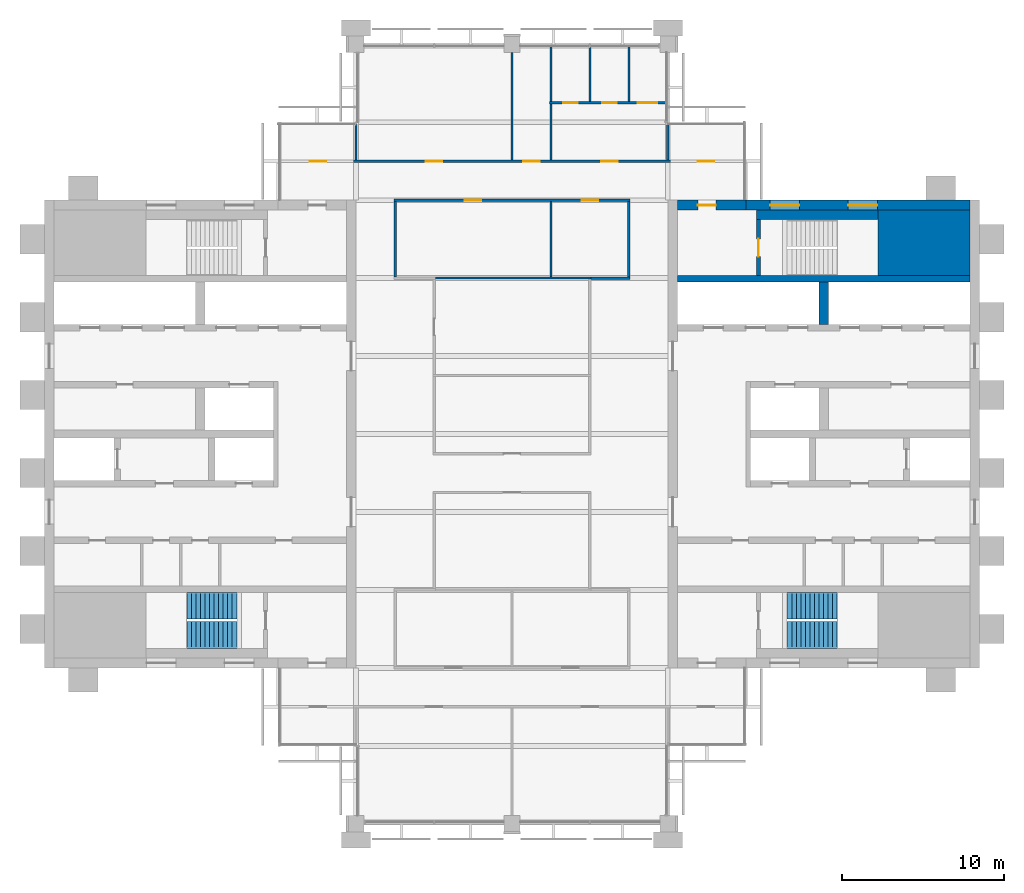
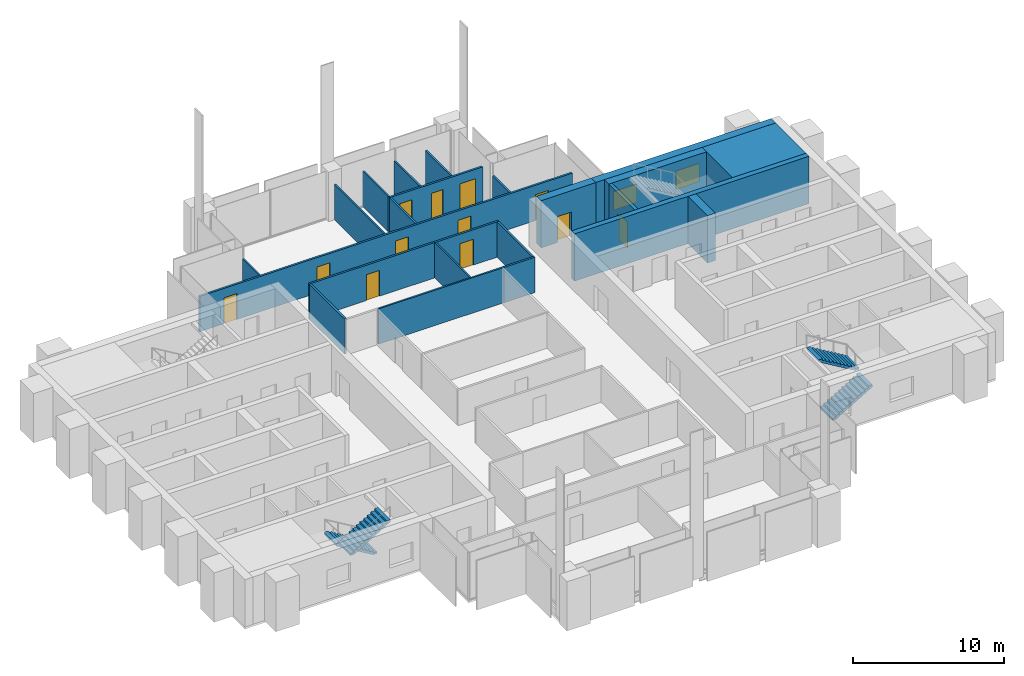
# One storey, part 11 of 13: 22 walls, 12 doors, 4 stair flights, 2 windows, 14 openings, 2 elements without a shape of their own.
"""IFC4 building model written with IfcOpenShell, lengths in metres."""

from ifc_helpers import new_model, si_unit, direction, frame, frame_2d, origin, place, context, subcontext, project, spatial, polyline, rectangle, outline, extrude, material, layer, layer_set, type_object, element, fill, aggregate, save


model = new_model("IFC4")

# Units and contexts
model_context = context("Model", 3, precision=1e-05, world=origin(), true_north=direction((0.0, 1.0)))
body_context = subcontext(model_context, "Body", "Model", "MODEL_VIEW")
ifc_project = project(units=[si_unit("LENGTHUNIT", "METRE"), si_unit("AREAUNIT", "SQUARE_METRE"), si_unit("VOLUMEUNIT", "CUBIC_METRE"), si_unit("PLANEANGLEUNIT", "RADIAN"), si_unit("MASSUNIT", "GRAM", prefix="KILO")], contexts=[model_context])

# Site, building, storey
site_placement = place(None, origin())
site = spatial("IfcSite", under=ifc_project, at=site_placement, CompositionType="ELEMENT")
building_placement = place(site_placement, origin())
building = spatial("IfcBuilding", under=site, at=building_placement, Name="Baori Bourse Tower", CompositionType="ELEMENT")
storey_placement = place(building_placement, frame((0.0, 0.0, 318.300048828125)))
storey = spatial("IfcBuildingStorey", under=building, at=storey_placement, Name="L70", CompositionType="ELEMENT", Elevation=318.300048828125)

# Wall
ifc_material_1 = material(Name="Concrete f'c 40 MPa", Category="concrete")
wall_type_1 = type_object("IfcWallType", Name="Core corner block f'c 40", PredefinedType="SHEAR", material=ifc_material_1)
wall_1_placement = place(storey_placement, frame((51.35009765625, 35.77490234375, 0.0), z_axis=(0.0, 0.0, 1.0), x_axis=(1.0, 0.0, 0.0)))
element("IfcWall", 1, at=wall_1_placement, inside=storey, type_object=wall_type_1, Name="Core wall E23", PredefinedType="SHEAR", context=body_context, shape_type="SweptSolid", body=[
    extrude(rectangle(XDim=5.64990234375, YDim=4.050048828125, at=frame_2d((2.824951171875, 0.0))), origin(), (0.0, 0.0, 1.0), 3.83984375),
])

# Wall, openings, windows
ifc_material_2 = material(Name="Concrete f'c 40 MPa", Category="concrete")
ifc_layer_1 = layer(ifc_material_2, 0.60009765625)
ifc_layer_set_1 = layer_set([ifc_layer_1], Name="Core wall 600 f'c 40")
wall_type_2 = type_object("IfcWallType", Name="Core wall 600 f'c 40", PredefinedType="SHEAR", material=ifc_layer_set_1)
wall_2_placement = place(storey_placement, frame((43.199951171875, 38.10009765625, 0.0), z_axis=(0.0, 0.0, 1.0), x_axis=(1.0, 0.0, 0.0)))
wall_2 = element("IfcWall", 2, at=wall_2_placement, inside=storey, type_object=wall_type_2, Name="Core wall E26", PredefinedType="SHEAR", context=body_context, shape_type="SweptSolid", body=[
    extrude(rectangle(XDim=13.800048828125, YDim=0.60009765625, at=frame_2d((6.89990234375, 0.0))), origin(), (0.0, 0.0, 1.0), 3.83984375),
])
opening_1_placement = place(wall_2_placement, frame((6.300048828125, 0.0, 0.89990234375)))
opening_1 = element("IfcOpeningElement", 3, at=opening_1_placement, cuts=wall_2, Name="Opening L70-KW205", PredefinedType="OPENING", context=body_context, shape_type="SweptSolid", body=[
    extrude(rectangle(XDim=1.800048828125, YDim=1.5, at=frame_2d((0.89990234375, 0.75))), frame((0.0, 0.31005859375, 0.0), z_axis=(0.0, -1.0, 0.0), x_axis=(1.0, 0.0, 0.0)), (0.0, 0.0, 1.0), 0.6201171875),
])
opening_2_placement = place(wall_2_placement, frame((1.5, 0.0, 0.89990234375)))
opening_2 = element("IfcOpeningElement", 4, at=opening_2_placement, cuts=wall_2, Name="Opening L70-KW206", PredefinedType="OPENING", context=body_context, shape_type="SweptSolid", body=[
    extrude(rectangle(XDim=1.800048828125, YDim=1.5, at=frame_2d((0.89990234375, 0.75))), frame((0.0, 0.31005859375, 0.0), z_axis=(0.0, -1.0, 0.0), x_axis=(1.0, 0.0, 0.0)), (0.0, 0.0, 1.0), 0.6201171875),
])
ifc_material_3 = material(Name="Pale anodised aluminium", Category="aluminium")
window_type = type_object("IfcWindowType", Name="Stair window 1800 x 1500", PartitioningType="SINGLE_PANEL", PredefinedType="WINDOW", material=ifc_material_3)
window_1_placement = place(opening_1_placement, origin())
window_1 = element("IfcWindow", 5, at=window_1_placement, inside=storey, type_object=window_type, Name="Stair window E L70 5", OverallHeight=1.5, OverallWidth=1.800048828125, PartitioningType="SINGLE_PANEL", PredefinedType="WINDOW", context=body_context, shape_type="SweptSolid", body=[
    extrude(rectangle(XDim=1.800048828125, YDim=1.5, at=frame_2d((0.89990234375, 0.75))), frame((0.0, 0.030029296875, 0.0), z_axis=(0.0, -1.0, 0.0), x_axis=(1.0, 0.0, 0.0)), (0.0, 0.0, 1.0), 0.06005859375),
])
fill(opening_1, window_1)
window_2_placement = place(opening_2_placement, origin())
window_2 = element("IfcWindow", 6, at=window_2_placement, inside=storey, type_object=window_type, Name="Stair window E L70 6", OverallHeight=1.5, OverallWidth=1.800048828125, PartitioningType="SINGLE_PANEL", PredefinedType="WINDOW", context=body_context, shape_type="SweptSolid", body=[
    extrude(rectangle(XDim=1.800048828125, YDim=1.5, at=frame_2d((0.89990234375, 0.75))), frame((0.0, 0.030029296875, 0.0), z_axis=(0.0, -1.0, 0.0), x_axis=(1.0, 0.0, 0.0)), (0.0, 0.0, 1.0), 0.06005859375),
])
fill(opening_2, window_2)

# Wall, opening, door
wall_3_placement = place(storey_placement, frame((39.0, 38.10009765625, 0.0), z_axis=(0.0, 0.0, 1.0), x_axis=(1.0, 0.0, 0.0)))
wall_3 = element("IfcWall", 7, at=wall_3_placement, inside=storey, type_object=wall_type_2, Name="Core wall E27", PredefinedType="SHEAR", context=body_context, shape_type="SweptSolid", body=[
    extrude(rectangle(XDim=4.199951171875, YDim=0.60009765625, at=frame_2d((2.10009765625, 0.0))), origin(), (0.0, 0.0, 1.0), 3.83984375),
])
opening_3_placement = place(wall_3_placement, frame((1.25, 0.0, 0.0)))
opening_3 = element("IfcOpeningElement", 8, at=opening_3_placement, cuts=wall_3, Name="Opening L70-D204", PredefinedType="OPENING", context=body_context, shape_type="SweptSolid", body=[
    extrude(rectangle(XDim=1.10009765625, YDim=2.10009765625, at=frame_2d((0.550048828125, 1.050048828125))), frame((0.0, 0.31005859375, 0.0), z_axis=(0.0, -1.0, 0.0), x_axis=(1.0, 0.0, 0.0)), (0.0, 0.0, 1.0), 0.6201171875),
])
ifc_material_4 = material(Name="Painted steel door", Category="steel")
door_type_1 = type_object("IfcDoorType", Name="Stair door 1100", OperationType="SINGLE_SWING_LEFT", PredefinedType="DOOR", material=ifc_material_4)
door_1_placement = place(opening_3_placement, origin())
door_1 = element("IfcDoor", 9, at=door_1_placement, inside=storey, type_object=door_type_1, Name="Stair vestibule door B E L70", OperationType="SINGLE_SWING_LEFT", OverallHeight=2.10009765625, OverallWidth=1.10009765625, PredefinedType="DOOR", context=body_context, shape_type="SweptSolid", body=[
    extrude(rectangle(XDim=1.10009765625, YDim=2.10009765625, at=frame_2d((0.550048828125, 1.050048828125))), frame((0.0, 0.02490234375, 0.0), z_axis=(0.0, -1.0, 0.0), x_axis=(1.0, 0.0, 0.0)), (0.0, 0.0, 1.0), 0.050048828125),
])
fill(opening_3, door_1)

# Wall
ifc_material_5 = material(Name="Gypsum board partition")
ifc_layer_2 = layer(ifc_material_5, 0.14990234375)
ifc_layer_set_2 = layer_set([ifc_layer_2], Name="Corridor partition 150")
wall_type_3 = type_object("IfcWallType", Name="Corridor partition 150", PredefinedType="PARTITIONING", material=ifc_layer_set_2)
wall_4_placement = place(storey_placement, frame((33.675048828125, 33.60009765625, 0.0), z_axis=(0.0, 0.0, 1.0), x_axis=(1.0, 0.0, 0.0)))
element("IfcWall", 10, at=wall_4_placement, inside=storey, type_object=wall_type_3, Name="Partition", PredefinedType="PARTITIONING", context=body_context, shape_type="SweptSolid", body=[
    extrude(rectangle(XDim=2.39990234375, YDim=0.14990234375, at=frame_2d((1.199951171875, 0.0))), origin(), (0.0, 0.0, 1.0), 2.86962890625),
])

# Wall, openings, doors
wall_5_placement = place(storey_placement, frame((21.52490234375, 38.39990234375, 0.0), z_axis=(0.0, 0.0, 1.0), x_axis=(1.0, 0.0, 0.0)))
wall_5 = element("IfcWall", 11, at=wall_5_placement, inside=storey, type_object=wall_type_3, Name="Partition", PredefinedType="PARTITIONING", context=body_context, shape_type="SweptSolid", body=[
    extrude(rectangle(XDim=14.550048828125, YDim=0.14990234375, at=frame_2d((7.27490234375, 0.0))), origin(), (0.0, 0.0, 1.0), 2.86962890625),
])
opening_4_placement = place(wall_5_placement, frame((4.375, 0.0, 0.0)))
opening_4 = element("IfcOpeningElement", 12, at=opening_4_placement, cuts=wall_5, Name="Opening L70-D09", PredefinedType="OPENING", context=body_context, shape_type="SweptSolid", body=[
    extrude(rectangle(XDim=1.0, YDim=2.10009765625, at=frame_2d((0.5, 1.050048828125))), frame((0.0, 0.0849609375, 0.0), z_axis=(0.0, -1.0, 0.0), x_axis=(1.0, 0.0, 0.0)), (0.0, 0.0, 1.0), 0.169921875),
])
opening_5_placement = place(wall_5_placement, frame((11.574951171875, 0.0, 0.0)))
opening_5 = element("IfcOpeningElement", 13, at=opening_5_placement, cuts=wall_5, Name="Opening L70-D10", PredefinedType="OPENING", context=body_context, shape_type="SweptSolid", body=[
    extrude(rectangle(XDim=1.0, YDim=2.10009765625, at=frame_2d((0.5, 1.050048828125))), frame((0.0, 0.0849609375, 0.0), z_axis=(0.0, -1.0, 0.0), x_axis=(1.0, 0.0, 0.0)), (0.0, 0.0, 1.0), 0.169921875),
])
ifc_material_6 = material(Name="Timber door leaf", Category="wood")
door_type_2 = type_object("IfcDoorType", Name="Door 1000 x 2100", OperationType="SINGLE_SWING_LEFT", PredefinedType="DOOR", material=ifc_material_6)
door_2_placement = place(opening_4_placement, origin())
door_2 = element("IfcDoor", 14, at=door_2_placement, inside=storey, type_object=door_type_2, Name="Door", OperationType="SINGLE_SWING_LEFT", OverallHeight=2.10009765625, OverallWidth=1.0, PredefinedType="DOOR", context=body_context, shape_type="SweptSolid", body=[
    extrude(rectangle(XDim=1.0, YDim=2.10009765625, at=frame_2d((0.5, 1.050048828125))), frame((0.0, 0.02490234375, 0.0), z_axis=(0.0, -1.0, 0.0), x_axis=(1.0, 0.0, 0.0)), (0.0, 0.0, 1.0), 0.050048828125),
])
fill(opening_4, door_2)
door_3_placement = place(opening_5_placement, origin())
door_3 = element("IfcDoor", 15, at=door_3_placement, inside=storey, type_object=door_type_2, Name="Door", OperationType="SINGLE_SWING_RIGHT", OverallHeight=2.10009765625, OverallWidth=1.0, PredefinedType="DOOR", context=body_context, shape_type="SweptSolid", body=[
    extrude(rectangle(XDim=1.0, YDim=2.10009765625, at=frame_2d((0.5, 1.050048828125))), frame((0.0, 0.02490234375, 0.0), z_axis=(0.0, -1.0, 0.0), x_axis=(1.0, 0.0, 0.0)), (0.0, 0.0, 1.0), 0.050048828125),
])
fill(opening_5, door_3)

wall_6_placement = place(storey_placement, frame((14.5, 40.800048828125, 0.0), z_axis=(0.0, 0.0, 1.0), x_axis=(1.0, 0.0, 0.0)))
wall_6 = element("IfcWall", 16, at=wall_6_placement, inside=storey, type_object=wall_type_3, Name="Partition", PredefinedType="PARTITIONING", context=body_context, shape_type="SweptSolid", body=[
    extrude(rectangle(XDim=28.60009765625, YDim=0.14990234375, at=frame_2d((14.300048828125, 0.0))), origin(), (0.0, 0.0, 1.0), 2.86962890625),
])
opening_6_placement = place(wall_6_placement, frame((1.85009765625, 0.0, 0.0)))
opening_6 = element("IfcOpeningElement", 17, at=opening_6_placement, cuts=wall_6, Name="Opening L70-D11", PredefinedType="OPENING", context=body_context, shape_type="SweptSolid", body=[
    extrude(rectangle(XDim=1.0, YDim=2.10009765625, at=frame_2d((0.5, 1.050048828125))), frame((0.0, 0.0849609375, 0.0), z_axis=(0.0, -1.0, 0.0), x_axis=(1.0, 0.0, 0.0)), (0.0, 0.0, 1.0), 0.169921875),
])
opening_7_placement = place(wall_6_placement, frame((9.0, 0.0, 0.0)))
opening_7 = element("IfcOpeningElement", 18, at=opening_7_placement, cuts=wall_6, Name="Opening L70-D12", PredefinedType="OPENING", context=body_context, shape_type="SweptSolid", body=[
    extrude(rectangle(XDim=1.0, YDim=2.10009765625, at=frame_2d((0.5, 1.050048828125))), frame((0.0, 0.0849609375, 0.0), z_axis=(0.0, -1.0, 0.0), x_axis=(1.0, 0.0, 0.0)), (0.0, 0.0, 1.0), 0.169921875),
])
opening_8_placement = place(wall_6_placement, frame((15.0, 0.0, 0.0)))
opening_8 = element("IfcOpeningElement", 19, at=opening_8_placement, cuts=wall_6, Name="Opening L70-D13", PredefinedType="OPENING", context=body_context, shape_type="SweptSolid", body=[
    extrude(rectangle(XDim=1.0, YDim=2.10009765625, at=frame_2d((0.5, 1.050048828125))), frame((0.0, 0.0849609375, 0.0), z_axis=(0.0, -1.0, 0.0), x_axis=(1.0, 0.0, 0.0)), (0.0, 0.0, 1.0), 0.169921875),
])
opening_9_placement = place(wall_6_placement, frame((19.800048828125, 0.0, 0.0)))
opening_9 = element("IfcOpeningElement", 20, at=opening_9_placement, cuts=wall_6, Name="Opening L70-D14", PredefinedType="OPENING", context=body_context, shape_type="SweptSolid", body=[
    extrude(rectangle(XDim=1.0, YDim=2.10009765625, at=frame_2d((0.5, 1.050048828125))), frame((0.0, 0.0849609375, 0.0), z_axis=(0.0, -1.0, 0.0), x_axis=(1.0, 0.0, 0.0)), (0.0, 0.0, 1.0), 0.169921875),
])
opening_10_placement = place(wall_6_placement, frame((25.75, 0.0, 0.0)))
opening_10 = element("IfcOpeningElement", 21, at=opening_10_placement, cuts=wall_6, Name="Opening L70-D15", PredefinedType="OPENING", context=body_context, shape_type="SweptSolid", body=[
    extrude(rectangle(XDim=1.0, YDim=2.10009765625, at=frame_2d((0.5, 1.050048828125))), frame((0.0, 0.0849609375, 0.0), z_axis=(0.0, -1.0, 0.0), x_axis=(1.0, 0.0, 0.0)), (0.0, 0.0, 1.0), 0.169921875),
])
door_4_placement = place(opening_6_placement, origin())
door_4 = element("IfcDoor", 22, at=door_4_placement, inside=storey, type_object=door_type_2, Name="Door", OperationType="SINGLE_SWING_RIGHT", OverallHeight=2.10009765625, OverallWidth=1.0, PredefinedType="DOOR", context=body_context, shape_type="SweptSolid", body=[
    extrude(rectangle(XDim=1.0, YDim=2.10009765625, at=frame_2d((0.5, 1.050048828125))), frame((0.0, 0.02490234375, 0.0), z_axis=(0.0, -1.0, 0.0), x_axis=(1.0, 0.0, 0.0)), (0.0, 0.0, 1.0), 0.050048828125),
])
fill(opening_6, door_4)
door_5_placement = place(opening_7_placement, origin())
door_5 = element("IfcDoor", 23, at=door_5_placement, inside=storey, type_object=door_type_2, Name="Door", OperationType="SINGLE_SWING_RIGHT", OverallHeight=2.10009765625, OverallWidth=1.0, PredefinedType="DOOR", context=body_context, shape_type="SweptSolid", body=[
    extrude(rectangle(XDim=1.0, YDim=2.10009765625, at=frame_2d((0.5, 1.050048828125))), frame((0.0, 0.02490234375, 0.0), z_axis=(0.0, -1.0, 0.0), x_axis=(1.0, 0.0, 0.0)), (0.0, 0.0, 1.0), 0.050048828125),
])
fill(opening_7, door_5)
door_6_placement = place(opening_8_placement, origin())
door_6 = element("IfcDoor", 24, at=door_6_placement, inside=storey, type_object=door_type_2, Name="Door", OperationType="SINGLE_SWING_LEFT", OverallHeight=2.10009765625, OverallWidth=1.0, PredefinedType="DOOR", context=body_context, shape_type="SweptSolid", body=[
    extrude(rectangle(XDim=1.0, YDim=2.10009765625, at=frame_2d((0.5, 1.050048828125))), frame((0.0, 0.02490234375, 0.0), z_axis=(0.0, -1.0, 0.0), x_axis=(1.0, 0.0, 0.0)), (0.0, 0.0, 1.0), 0.050048828125),
])
fill(opening_8, door_6)
door_7_placement = place(opening_9_placement, origin())
door_7 = element("IfcDoor", 25, at=door_7_placement, inside=storey, type_object=door_type_2, Name="Door", OperationType="SINGLE_SWING_RIGHT", OverallHeight=2.10009765625, OverallWidth=1.0, PredefinedType="DOOR", context=body_context, shape_type="SweptSolid", body=[
    extrude(rectangle(XDim=1.0, YDim=2.10009765625, at=frame_2d((0.5, 1.050048828125))), frame((0.0, 0.02490234375, 0.0), z_axis=(0.0, -1.0, 0.0), x_axis=(1.0, 0.0, 0.0)), (0.0, 0.0, 1.0), 0.050048828125),
])
fill(opening_9, door_7)
door_8_placement = place(opening_10_placement, origin())
door_8 = element("IfcDoor", 26, at=door_8_placement, inside=storey, type_object=door_type_2, Name="Door", OperationType="SINGLE_SWING_LEFT", OverallHeight=2.10009765625, OverallWidth=1.0, PredefinedType="DOOR", context=body_context, shape_type="SweptSolid", body=[
    extrude(rectangle(XDim=1.0, YDim=2.10009765625, at=frame_2d((0.5, 1.050048828125))), frame((0.0, 0.02490234375, 0.0), z_axis=(0.0, -1.0, 0.0), x_axis=(1.0, 0.0, 0.0)), (0.0, 0.0, 1.0), 0.050048828125),
])
fill(opening_10, door_8)

wall_7_placement = place(storey_placement, frame((31.125, 44.39990234375, 0.0), z_axis=(0.0, 0.0, 1.0), x_axis=(1.0, 0.0, 0.0)))
wall_7 = element("IfcWall", 27, at=wall_7_placement, inside=storey, type_object=wall_type_3, Name="Partition", PredefinedType="PARTITIONING", context=body_context, shape_type="SweptSolid", body=[
    extrude(rectangle(XDim=7.175048828125, YDim=0.14990234375, at=frame_2d((3.58740234375, 0.0))), origin(), (0.0, 0.0, 1.0), 2.86962890625),
])
opening_11_placement = place(wall_7_placement, frame((0.824951171875, 0.0, 0.0)))
opening_11 = element("IfcOpeningElement", 28, at=opening_11_placement, cuts=wall_7, Name="Opening L70-D16", PredefinedType="OPENING", context=body_context, shape_type="SweptSolid", body=[
    extrude(rectangle(XDim=0.89990234375, YDim=2.10009765625, at=frame_2d((0.449951171875, 1.050048828125))), frame((0.0, 0.0849609375, 0.0), z_axis=(0.0, -1.0, 0.0), x_axis=(1.0, 0.0, 0.0)), (0.0, 0.0, 1.0), 0.169921875),
])
opening_12_placement = place(wall_7_placement, frame((3.22509765625, 0.0, 0.0)))
opening_12 = element("IfcOpeningElement", 29, at=opening_12_placement, cuts=wall_7, Name="Opening L70-D17", PredefinedType="OPENING", context=body_context, shape_type="SweptSolid", body=[
    extrude(rectangle(XDim=0.89990234375, YDim=2.10009765625, at=frame_2d((0.449951171875, 1.050048828125))), frame((0.0, 0.0849609375, 0.0), z_axis=(0.0, -1.0, 0.0), x_axis=(1.0, 0.0, 0.0)), (0.0, 0.0, 1.0), 0.169921875),
])
opening_13_placement = place(wall_7_placement, frame((5.425048828125, 0.0, 0.0)))
opening_13 = element("IfcOpeningElement", 30, at=opening_13_placement, cuts=wall_7, Name="Opening L70-D18", PredefinedType="OPENING", context=body_context, shape_type="SweptSolid", body=[
    extrude(rectangle(XDim=1.199951171875, YDim=2.10009765625, at=frame_2d((0.60009765625, 1.050048828125))), frame((0.0, 0.0849609375, 0.0), z_axis=(0.0, -1.0, 0.0), x_axis=(1.0, 0.0, 0.0)), (0.0, 0.0, 1.0), 0.169921875),
])
ifc_material_7 = material(Name="Timber door leaf", Category="wood")
door_type_3 = type_object("IfcDoorType", Name="Door 1200 x 2100", OperationType="SINGLE_SWING_LEFT", PredefinedType="DOOR", material=ifc_material_7)
door_9_placement = place(opening_13_placement, origin())
door_9 = element("IfcDoor", 31, at=door_9_placement, inside=storey, type_object=door_type_3, Name="Door", OperationType="SINGLE_SWING_LEFT", OverallHeight=2.10009765625, OverallWidth=1.199951171875, PredefinedType="DOOR", context=body_context, shape_type="SweptSolid", body=[
    extrude(rectangle(XDim=1.199951171875, YDim=2.10009765625, at=frame_2d((0.60009765625, 1.050048828125))), frame((0.0, 0.02490234375, 0.0), z_axis=(0.0, -1.0, 0.0), x_axis=(1.0, 0.0, 0.0)), (0.0, 0.0, 1.0), 0.050048828125),
])
fill(opening_13, door_9)
ifc_material_8 = material(Name="Timber door leaf", Category="wood")
door_type_4 = type_object("IfcDoorType", Name="Door 900 x 2100", OperationType="SINGLE_SWING_LEFT", PredefinedType="DOOR", material=ifc_material_8)
door_10_placement = place(opening_11_placement, origin())
door_10 = element("IfcDoor", 32, at=door_10_placement, inside=storey, type_object=door_type_4, Name="Door", OperationType="SINGLE_SWING_RIGHT", OverallHeight=2.10009765625, OverallWidth=0.89990234375, PredefinedType="DOOR", context=body_context, shape_type="SweptSolid", body=[
    extrude(rectangle(XDim=0.89990234375, YDim=2.10009765625, at=frame_2d((0.449951171875, 1.050048828125))), frame((0.0, 0.02490234375, 0.0), z_axis=(0.0, -1.0, 0.0), x_axis=(1.0, 0.0, 0.0)), (0.0, 0.0, 1.0), 0.050048828125),
])
fill(opening_11, door_10)
door_11_placement = place(opening_12_placement, origin())
door_11 = element("IfcDoor", 33, at=door_11_placement, inside=storey, type_object=door_type_4, Name="Door", OperationType="SINGLE_SWING_LEFT", OverallHeight=2.10009765625, OverallWidth=0.89990234375, PredefinedType="DOOR", context=body_context, shape_type="SweptSolid", body=[
    extrude(rectangle(XDim=0.89990234375, YDim=2.10009765625, at=frame_2d((0.449951171875, 1.050048828125))), frame((0.0, 0.02490234375, 0.0), z_axis=(0.0, -1.0, 0.0), x_axis=(1.0, 0.0, 0.0)), (0.0, 0.0, 1.0), 0.050048828125),
])
fill(opening_12, door_11)

# Walls
wall_8_placement = place(storey_placement, frame((21.60009765625, 33.675048828125, 0.0), z_axis=(0.0, 0.0, 1.0), x_axis=(0.0, 1.0, 0.0)))
element("IfcWall", 34, at=wall_8_placement, inside=storey, type_object=wall_type_3, Name="Partition", PredefinedType="PARTITIONING", context=body_context, shape_type="SweptSolid", body=[
    extrude(rectangle(XDim=4.64990234375, YDim=0.14990234375, at=frame_2d((2.324951171875, 0.0))), origin(), (0.0, 0.0, 1.0), 2.86962890625),
])
wall_9_placement = place(storey_placement, frame((31.199951171875, 40.875, 0.0), z_axis=(0.0, 0.0, 1.0), x_axis=(0.0, 1.0, 0.0)))
element("IfcWall", 35, at=wall_9_placement, inside=storey, type_object=wall_type_3, Name="Partition", PredefinedType="PARTITIONING", context=body_context, shape_type="SweptSolid", body=[
    extrude(rectangle(XDim=3.449951171875, YDim=0.14990234375, at=frame_2d((1.72509765625, 0.0))), origin(), (0.0, 0.0, 1.0), 2.86962890625),
])
wall_10_placement = place(storey_placement, frame((36.0, 33.675048828125, 0.0), z_axis=(0.0, 0.0, 1.0), x_axis=(0.0, 1.0, 0.0)))
element("IfcWall", 36, at=wall_10_placement, inside=storey, type_object=wall_type_3, Name="Partition", PredefinedType="PARTITIONING", context=body_context, shape_type="SweptSolid", body=[
    extrude(rectangle(XDim=4.64990234375, YDim=0.14990234375, at=frame_2d((2.324951171875, 0.0))), origin(), (0.0, 0.0, 1.0), 2.86962890625),
])
wall_11_placement = place(storey_placement, frame((38.39990234375, 40.875, 0.0), z_axis=(0.0, 0.0, 1.0), x_axis=(0.0, 1.0, 0.0)))
element("IfcWall", 37, at=wall_11_placement, inside=storey, type_object=wall_type_3, Name="Partition", PredefinedType="PARTITIONING", context=body_context, shape_type="SweptSolid", body=[
    extrude(rectangle(XDim=2.22509765625, YDim=0.14990234375, at=frame_2d((1.112548828125, 0.0))), origin(), (0.0, 0.0, 1.0), 2.86962890625),
])
ifc_material_9 = material(Name="Gypsum board partition")
ifc_layer_3 = layer(ifc_material_9, 0.125)
ifc_layer_set_3 = layer_set([ifc_layer_3], Name="Partition 125")
wall_type_4 = type_object("IfcWallType", Name="Partition 125", PredefinedType="PARTITIONING", material=ifc_layer_set_3)
wall_12_placement = place(storey_placement, frame((24.074951171875, 33.60009765625, 0.0), z_axis=(0.0, 0.0, 1.0), x_axis=(1.0, 0.0, 0.0)))
element("IfcWall", 38, at=wall_12_placement, inside=storey, type_object=wall_type_4, Name="Partition", PredefinedType="PARTITIONING", context=body_context, shape_type="SweptSolid", body=[
    extrude(rectangle(XDim=9.60009765625, YDim=0.125, at=frame_2d((4.800048828125, 0.0))), origin(), (0.0, 0.0, 1.0), 2.86962890625),
])
wall_13_placement = place(storey_placement, frame((19.199951171875, 40.875, 0.0), z_axis=(0.0, 0.0, 1.0), x_axis=(0.0, 1.0, 0.0)))
element("IfcWall", 39, at=wall_13_placement, inside=storey, type_object=wall_type_4, Name="Partition", PredefinedType="PARTITIONING", context=body_context, shape_type="SweptSolid", body=[
    extrude(rectangle(XDim=2.22509765625, YDim=0.125, at=frame_2d((1.112548828125, 0.0))), origin(), (0.0, 0.0, 1.0), 2.86962890625),
])
wall_14_placement = place(storey_placement, frame((28.800048828125, 40.875, 0.0), z_axis=(0.0, 0.0, 1.0), x_axis=(0.0, 1.0, 0.0)))
element("IfcWall", 40, at=wall_14_placement, inside=storey, type_object=wall_type_4, Name="Partition", PredefinedType="PARTITIONING", context=body_context, shape_type="SweptSolid", body=[
    extrude(rectangle(XDim=6.625, YDim=0.125, at=frame_2d((3.3125, 0.0))), origin(), (0.0, 0.0, 1.0), 2.86962890625),
])
wall_15_placement = place(storey_placement, frame((31.199951171875, 33.66259765625, 0.0), z_axis=(0.0, 0.0, 1.0), x_axis=(0.0, 1.0, 0.0)))
element("IfcWall", 41, at=wall_15_placement, inside=storey, type_object=wall_type_4, Name="Partition", PredefinedType="PARTITIONING", context=body_context, shape_type="SweptSolid", body=[
    extrude(rectangle(XDim=4.662353515625, YDim=0.125, at=frame_2d((2.3310546875, 0.0))), origin(), (0.0, 0.0, 1.0), 2.86962890625),
])
for number, where, z_axis, x_axis, name in (
    (42, (31.199951171875, 44.47509765625, 0.0), (0.0, 0.0, 1.0), (0.0, 1.0, 0.0), "Partition"),
    (43, (33.60009765625, 44.47509765625, 0.0), (0.0, 0.0, 1.0), (0.0, 1.0, 0.0), "Partition"),
    (44, (36.0, 44.47509765625, 0.0), (0.0, 0.0, 1.0), (0.0, 1.0, 0.0), "Partition"),
):
    element("IfcWall", number, at=place(storey_placement, frame(where, z_axis=z_axis, x_axis=x_axis)), inside=storey, type_object=wall_type_4, Name=name, PredefinedType="PARTITIONING", context=body_context, shape_type="SweptSolid", body=[
        extrude(rectangle(XDim=3.4248046875, YDim=0.125, at=frame_2d((1.71240234375, 0.0))), origin(), (0.0, 0.0, 1.0), 2.86962890625),
    ])

# Wall, opening, door
ifc_material_10 = material(Name="Concrete f'c 40 MPa", Category="concrete")
ifc_layer_4 = layer(ifc_material_10, 0.25)
ifc_layer_set_4 = layer_set([ifc_layer_4], Name="Shaft wall 250 f'c 40")
wall_type_5 = type_object("IfcWallType", Name="Shaft wall 250 f'c 40", PredefinedType="SHEAR", material=ifc_layer_set_4)
wall_16_placement = place(storey_placement, frame((43.97509765625, 33.75, 0.0), z_axis=(0.0, 0.0, 1.0), x_axis=(0.0, 1.0, 0.0)))
wall_16 = element("IfcWall", 45, at=wall_16_placement, inside=storey, type_object=wall_type_5, Name="Core wall E24", PredefinedType="SHEAR", context=body_context, shape_type="SweptSolid", body=[
    extrude(rectangle(XDim=3.449951171875, YDim=0.25, at=frame_2d((1.72509765625, 0.0))), origin(), (0.0, 0.0, 1.0), 3.83984375),
])
opening_14_placement = place(wall_16_placement, frame((1.175048828125, 0.0, 0.0)))
opening_14 = element("IfcOpeningElement", 46, at=opening_14_placement, cuts=wall_16, Name="Opening L70-D203", PredefinedType="OPENING", context=body_context, shape_type="SweptSolid", body=[
    extrude(rectangle(XDim=1.10009765625, YDim=2.10009765625, at=frame_2d((0.550048828125, 1.050048828125))), frame((0.0, 0.135009765625, 0.0), z_axis=(0.0, -1.0, 0.0), x_axis=(1.0, 0.0, 0.0)), (0.0, 0.0, 1.0), 0.27001953125),
])
door_12_placement = place(opening_14_placement, origin())
door_12 = element("IfcDoor", 47, at=door_12_placement, inside=storey, type_object=door_type_1, Name="Stair door B E L70", OperationType="SINGLE_SWING_LEFT", OverallHeight=2.10009765625, OverallWidth=1.10009765625, PredefinedType="DOOR", context=body_context, shape_type="SweptSolid", body=[
    extrude(rectangle(XDim=1.10009765625, YDim=2.10009765625, at=frame_2d((0.550048828125, 1.050048828125))), frame((0.0, 0.02490234375, 0.0), z_axis=(0.0, -1.0, 0.0), x_axis=(1.0, 0.0, 0.0)), (0.0, 0.0, 1.0), 0.050048828125),
])
fill(opening_14, door_12)

# Walls
ifc_material_11 = material(Name="Concrete f'c 40 MPa", Category="concrete")
ifc_layer_5 = layer(ifc_material_11, 0.39990234375)
ifc_layer_set_5 = layer_set([ifc_layer_5], Name="Shaft wall 400 f'c 40")
wall_type_6 = type_object("IfcWallType", Name="Shaft wall 400 f'c 40", PredefinedType="SHEAR", material=ifc_layer_set_5)
wall_17_placement = place(storey_placement, frame((39.0, 33.550048828125, 0.0), z_axis=(0.0, 0.0, 1.0), x_axis=(1.0, 0.0, 0.0)))
element("IfcWall", 48, at=wall_17_placement, inside=storey, type_object=wall_type_6, Name="Core wall E22", PredefinedType="SHEAR", context=body_context, shape_type="SweptSolid", body=[
    extrude(rectangle(XDim=18.0, YDim=0.39990234375, at=frame_2d((9.0, 0.0))), origin(), (0.0, 0.0, 1.0), 3.83984375),
])
ifc_material_12 = material(Name="Concrete f'c 40 MPa", Category="concrete")
ifc_layer_6 = layer(ifc_material_12, 0.60009765625)
ifc_layer_set_6 = layer_set([ifc_layer_6], Name="Shaft wall 600 f'c 40")
wall_type_7 = type_object("IfcWallType", Name="Shaft wall 600 f'c 40", PredefinedType="SHEAR", material=ifc_layer_set_6)
wall_18_placement = place(storey_placement, frame((48.0, 30.75, 0.0), z_axis=(0.0, 0.0, 1.0), x_axis=(0.0, 1.0, 0.0)))
element("IfcWall", 49, at=wall_18_placement, inside=storey, type_object=wall_type_7, Name="Core wall E21", PredefinedType="SHEAR", context=body_context, shape_type="SweptSolid", body=[
    extrude(rectangle(XDim=2.60009765625, YDim=0.60009765625, at=frame_2d((1.300048828125, 0.0))), origin(), (0.0, 0.0, 1.0), 3.83984375),
])
wall_19_placement = place(storey_placement, frame((43.85009765625, 37.5, 0.0), z_axis=(0.0, 0.0, 1.0), x_axis=(1.0, 0.0, 0.0)))
element("IfcWall", 50, at=wall_19_placement, inside=storey, type_object=wall_type_7, Name="Core wall E25", PredefinedType="SHEAR", context=body_context, shape_type="SweptSolid", body=[
    extrude(rectangle(XDim=7.5, YDim=0.60009765625, at=frame_2d((3.75, 0.0))), origin(), (0.0, 0.0, 1.0), 3.83984375),
])

# Stair, stair flights
ifc_material_13 = material(Name="Concrete f'c 50 MPa", Category="concrete")
stair_type = type_object("IfcStairType", Name="Core stair", PredefinedType="HALF_TURN_STAIR", material=ifc_material_13)
stair_1_placement = place(storey_placement, origin())
stair_1 = element("IfcStair", 51, at=stair_1_placement, inside=storey, type_object=stair_type, Name="L70 Stair WA", PredefinedType="HALF_TURN_STAIR")
ifc_material_14 = material(Name="Concrete f'c 50 MPa", Category="concrete")
stair_flight_type = type_object("IfcStairFlightType", Name="Core stair flight", PredefinedType="STRAIGHT", material=ifc_material_14)
stair_flight_1_placement = place(storey_placement, frame((11.85009765625, 13.425048828125, 0.0), z_axis=(0.0, 0.0, 1.0), x_axis=(-1.0, 0.0, 0.0)))
stair_flight_1 = element("IfcStairFlight", 52, at=stair_flight_1_placement, type_object=stair_flight_type, Name="ST1 flight 1", NumberOfRisers=12, NumberOfTreads=11, PredefinedType="STRAIGHT", RiserHeight=0.166666667, TreadLength=0.28, context=body_context, shape_type="SweptSolid", body=[
    extrude(outline(polyline([(0.0, 0.0), (0.0, 0.166748046875), (0.280029296875, 0.166748046875), (0.280029296875, 0.333251953125), (0.56005859375, 0.333251953125), (0.56005859375, 0.5), (0.840087890625, 0.5), (0.840087890625, 0.666748046875), (1.1201171875, 0.666748046875), (1.1201171875, 0.833251953125), (1.39990234375, 0.833251953125), (1.39990234375, 1.0), (1.679931640625, 1.0), (1.679931640625, 1.166748046875), (1.9599609375, 1.166748046875), (1.9599609375, 1.333251953125), (2.239990234375, 1.333251953125), (2.239990234375, 1.5), (2.52001953125, 1.5), (2.52001953125, 1.666748046875), (2.800048828125, 1.666748046875), (2.800048828125, 1.833251953125), (3.080078125, 1.833251953125), (3.080078125, 2.0), (3.080078125, 1.658935546875), (0.29296875, 0.0), (0.0, 0.0)])), frame((0.0, 0.824951171875, 0.0), z_axis=(0.0, -1.0, 0.0), x_axis=(1.0, 0.0, 0.0)), (0.0, 0.0, 1.0), 1.64990234375),
])
stair_flight_2_placement = place(storey_placement, frame((8.77001953125, 11.625, 2.0), z_axis=(0.0, 0.0, 1.0), x_axis=(1.0, 0.0, 0.0)))
stair_flight_2 = element("IfcStairFlight", 53, at=stair_flight_2_placement, type_object=stair_flight_type, Name="ST1 flight 2", NumberOfRisers=12, NumberOfTreads=11, PredefinedType="STRAIGHT", RiserHeight=0.166666667, TreadLength=0.28, context=body_context, shape_type="SweptSolid", body=[
    extrude(outline(polyline([(0.0, 0.0), (0.0, 0.166748046875), (0.280029296875, 0.166748046875), (0.280029296875, 0.333251953125), (0.56005859375, 0.333251953125), (0.56005859375, 0.5), (0.840087890625, 0.5), (0.840087890625, 0.666748046875), (1.1201171875, 0.666748046875), (1.1201171875, 0.833251953125), (1.39990234375, 0.833251953125), (1.39990234375, 1.0), (1.679931640625, 1.0), (1.679931640625, 1.166748046875), (1.9599609375, 1.166748046875), (1.9599609375, 1.333251953125), (2.239990234375, 1.333251953125), (2.239990234375, 1.5), (2.52001953125, 1.5), (2.52001953125, 1.666748046875), (2.800048828125, 1.666748046875), (2.800048828125, 1.833251953125), (3.080078125, 1.833251953125), (3.080078125, 2.0), (3.080078125, 1.658935546875), (0.29296875, 0.0), (0.0, 0.0)])), frame((0.0, 0.824951171875, 0.0), z_axis=(0.0, -1.0, 0.0), x_axis=(1.0, 0.0, 0.0)), (0.0, 0.0, 1.0), 1.64990234375),
])
aggregate(stair_1, [stair_flight_1, stair_flight_2])

stair_2_placement = place(storey_placement, origin())
stair_2 = element("IfcStair", 54, at=stair_2_placement, inside=storey, type_object=stair_type, Name="L70 Stair EA", PredefinedType="HALF_TURN_STAIR")
stair_flight_3_placement = place(storey_placement, frame((45.75, 11.625, 0.0), z_axis=(0.0, 0.0, 1.0), x_axis=(1.0, 0.0, 0.0)))
stair_flight_3 = element("IfcStairFlight", 55, at=stair_flight_3_placement, type_object=stair_flight_type, Name="ST3 flight 1", NumberOfRisers=12, NumberOfTreads=11, PredefinedType="STRAIGHT", RiserHeight=0.166666667, TreadLength=0.28, context=body_context, shape_type="SweptSolid", body=[
    extrude(outline(polyline([(0.0, 0.0), (0.0, 0.166748046875), (0.280029296875, 0.166748046875), (0.280029296875, 0.333251953125), (0.56005859375, 0.333251953125), (0.56005859375, 0.5), (0.840087890625, 0.5), (0.840087890625, 0.666748046875), (1.1201171875, 0.666748046875), (1.1201171875, 0.833251953125), (1.39990234375, 0.833251953125), (1.39990234375, 1.0), (1.679931640625, 1.0), (1.679931640625, 1.166748046875), (1.9599609375, 1.166748046875), (1.9599609375, 1.333251953125), (2.239990234375, 1.333251953125), (2.239990234375, 1.5), (2.52001953125, 1.5), (2.52001953125, 1.666748046875), (2.800048828125, 1.666748046875), (2.800048828125, 1.833251953125), (3.080078125, 1.833251953125), (3.080078125, 2.0), (3.080078125, 1.658935546875), (0.29296875, 0.0), (0.0, 0.0)])), frame((0.0, 0.824951171875, 0.0), z_axis=(0.0, -1.0, 0.0), x_axis=(1.0, 0.0, 0.0)), (0.0, 0.0, 1.0), 1.64990234375),
])
stair_flight_4_placement = place(storey_placement, frame((48.830078125, 13.425048828125, 2.0), z_axis=(0.0, 0.0, 1.0), x_axis=(-1.0, 0.0, 0.0)))
stair_flight_4 = element("IfcStairFlight", 56, at=stair_flight_4_placement, type_object=stair_flight_type, Name="ST3 flight 2", NumberOfRisers=12, NumberOfTreads=11, PredefinedType="STRAIGHT", RiserHeight=0.166666667, TreadLength=0.28, context=body_context, shape_type="SweptSolid", body=[
    extrude(outline(polyline([(0.0, 0.0), (0.0, 0.166748046875), (0.280029296875, 0.166748046875), (0.280029296875, 0.333251953125), (0.56005859375, 0.333251953125), (0.56005859375, 0.5), (0.840087890625, 0.5), (0.840087890625, 0.666748046875), (1.1201171875, 0.666748046875), (1.1201171875, 0.833251953125), (1.39990234375, 0.833251953125), (1.39990234375, 1.0), (1.679931640625, 1.0), (1.679931640625, 1.166748046875), (1.9599609375, 1.166748046875), (1.9599609375, 1.333251953125), (2.239990234375, 1.333251953125), (2.239990234375, 1.5), (2.52001953125, 1.5), (2.52001953125, 1.666748046875), (2.800048828125, 1.666748046875), (2.800048828125, 1.833251953125), (3.080078125, 1.833251953125), (3.080078125, 2.0), (3.080078125, 1.658935546875), (0.29296875, 0.0), (0.0, 0.0)])), frame((0.0, 0.824951171875, 0.0), z_axis=(0.0, -1.0, 0.0), x_axis=(1.0, 0.0, 0.0)), (0.0, 0.0, 1.0), 1.64990234375),
])
aggregate(stair_2, [stair_flight_3, stair_flight_4])

save(model, "model.ifc")
